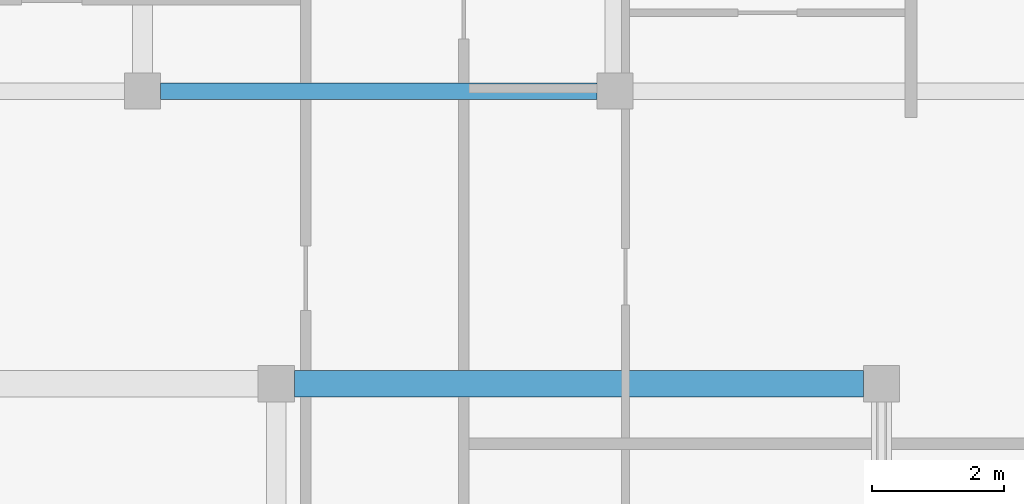
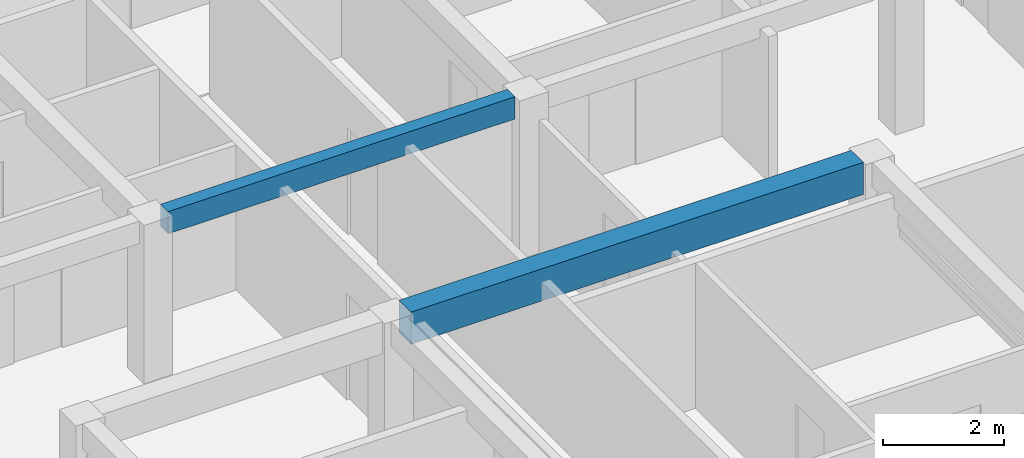
# One storey, part 14 of 68: 2 beams.
"""IFC4 building model written with IfcOpenShell, lengths in metres."""

from ifc_helpers import new_model, si_unit, direction, frame, origin, origin_2d, place, context, subcontext, project, spatial, rectangle, extrude, material, material_profile, profile_set, type_object, element, save


model = new_model("IFC4")

# Units and contexts
model_context = context("Model", 3, precision=1e-05, world=origin(), true_north=direction((0.0, 1.0)))
body_context = subcontext(model_context, "Body", "Model", "MODEL_VIEW")
ifc_project = project(units=[si_unit("LENGTHUNIT", "METRE"), si_unit("AREAUNIT", "SQUARE_METRE"), si_unit("VOLUMEUNIT", "CUBIC_METRE"), si_unit("PLANEANGLEUNIT", "RADIAN"), si_unit("MASSUNIT", "GRAM", prefix="KILO")], contexts=[model_context])

# Site, building, storey
site_placement = place(None, origin())
site = spatial("IfcSite", under=ifc_project, at=site_placement, CompositionType="ELEMENT")
building_placement = place(site_placement, origin())
building = spatial("IfcBuilding", under=site, at=building_placement, Name="Keldmere Railside Commons", CompositionType="ELEMENT")
storey_placement = place(building_placement, frame((0.0, 0.0, 23.360107421875)))
storey = spatial("IfcBuildingStorey", under=building, at=storey_placement, Name="L07", CompositionType="ELEMENT", Elevation=23.360107421875)

# Beams
ifc_material_1 = material(Name="Architectural Precast Concrete H-35 (C35/45)", Category="concrete")
ifc_material_profile_1 = material_profile(ifc_material_1, rectangle(XDim=0.25, YDim=0.449951171875, at=origin_2d()), Name="RC-250x450")
ifc_profile_set_1 = profile_set([ifc_material_profile_1], Name="Architectural Precast Concrete H-35 (C35/45)")
beam_type_1 = type_object("IfcBeamType", Name="Perimeter Precast Spandrel Beam 250x450", PredefinedType="SPANDREL", material=ifc_profile_set_1)
beam_1_placement = place(storey_placement, frame((108.592041015625, 100.449951171875, 2.974853515625), z_axis=(1.0, 0.0, 0.0), x_axis=(0.0, 1.0, 0.0)))
element("IfcBeam", 1, at=beam_1_placement, inside=storey, type_object=beam_type_1, Name="SPB-1 BM-L07-2060", PredefinedType="SPANDREL", context=body_context, shape_type="SweptSolid", body=[
    extrude(rectangle(XDim=0.25, YDim=0.449951171875, at=origin_2d()), origin(), (0.0, 0.0, 1.0), 6.633056640625),
])
ifc_material_2 = material(Name="Concrete H-30 (C30/37)", Category="concrete")
ifc_material_profile_2 = material_profile(ifc_material_2, rectangle(XDim=0.39990234375, YDim=0.64990234375, at=origin_2d()), Name="RC-400x650")
ifc_profile_set_2 = profile_set([ifc_material_profile_2], Name="Concrete H-30 (C30/37)")
beam_type_2 = type_object("IfcBeamType", Name="Residential Spine RC Girder 400x650", PredefinedType="BEAM", material=ifc_profile_set_2)
beam_2_placement = place(storey_placement, frame((110.625, 96.0, 2.875), z_axis=(1.0, 0.0, 0.0), x_axis=(0.0, 1.0, 0.0)))
element("IfcBeam", 2, at=beam_2_placement, inside=storey, type_object=beam_type_2, Name="BG-3 BM-L07-2051", PredefinedType="BEAM", context=body_context, shape_type="SweptSolid", body=[
    extrude(rectangle(XDim=0.39990234375, YDim=0.64990234375, at=origin_2d()), origin(), (0.0, 0.0, 1.0), 8.64990234375),
])

save(model, "model.ifc")
